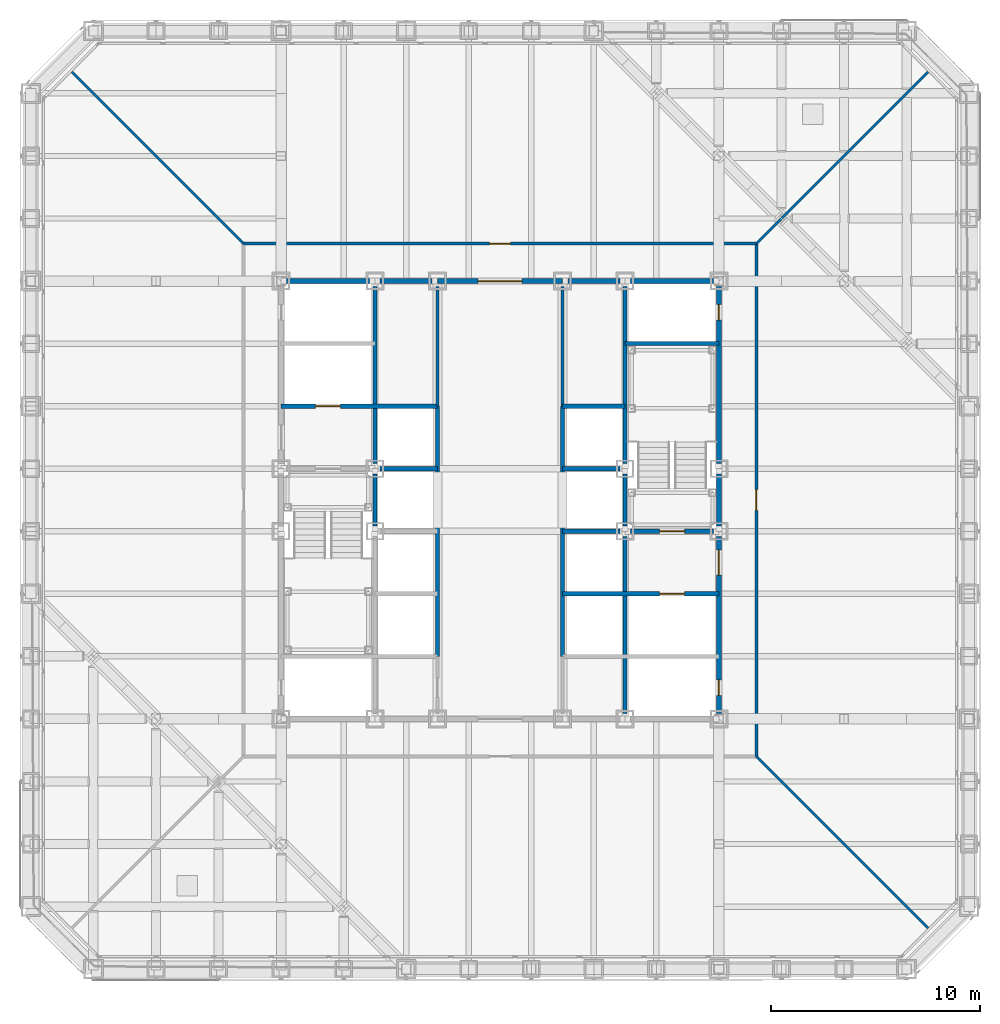
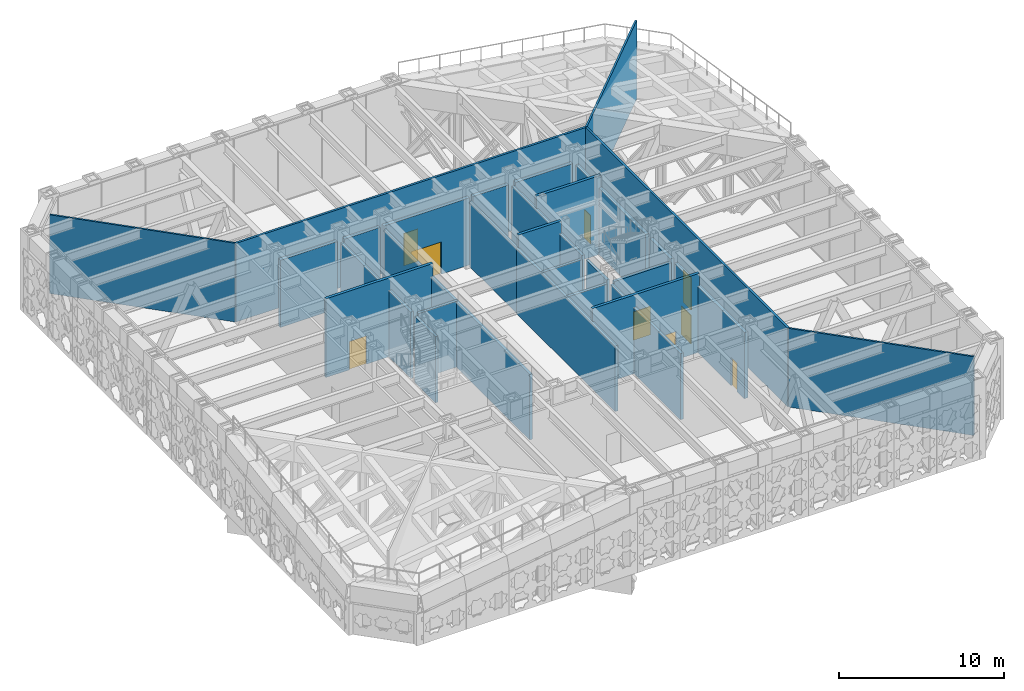
# One storey, part 12 of 31: 30 walls, 9 doors, 9 openings.
"""IFC4 building model written with IfcOpenShell, lengths in metres."""

from ifc_helpers import new_model, si_unit, direction, frame, frame_2d, origin, place, context, subcontext, project, spatial, rectangle, extrude, material, layer, layer_set, type_object, element, fill, save


model = new_model("IFC4")

# Units and contexts
model_context = context("Model", 3, precision=1e-05, world=origin(), true_north=direction((0.0, 1.0)))
body_context = subcontext(model_context, "Body", "Model", "MODEL_VIEW")
ifc_project = project(units=[si_unit("LENGTHUNIT", "METRE"), si_unit("AREAUNIT", "SQUARE_METRE"), si_unit("VOLUMEUNIT", "CUBIC_METRE"), si_unit("PLANEANGLEUNIT", "RADIAN"), si_unit("MASSUNIT", "GRAM", prefix="KILO")], contexts=[model_context])

# Site, building, storey
site_placement = place(None, origin())
site = spatial("IfcSite", under=ifc_project, at=site_placement, CompositionType="ELEMENT")
building_placement = place(site_placement, origin())
building = spatial("IfcBuilding", under=site, at=building_placement, Name="Chuquiago Exchange Tower", CompositionType="ELEMENT")
storey_placement = place(building_placement, frame((0.0, 0.0, 96.300048828125)))
storey = spatial("IfcBuildingStorey", under=building, at=storey_placement, Name="L20", CompositionType="ELEMENT", Elevation=96.300048828125)

# Walls
ifc_material_1 = material(Name="Concrete masonry, fully grouted", Category="masonry")
ifc_layer_1 = layer(ifc_material_1, 0.25)
ifc_layer_set_1 = layer_set([ifc_layer_1], Name="W1 core wall 250")
wall_type_1 = type_object("IfcWallType", Name="W1 core wall 250", PredefinedType="SOLIDWALL", material=ifc_layer_set_1)
wall_1_placement = place(storey_placement, frame((12.25, 33.0, 0.0), z_axis=(0.0, 0.0, 1.0), x_axis=(1.0, 0.0, 0.0)))
element("IfcWall", 1, at=wall_1_placement, inside=storey, type_object=wall_type_1, Name="CW-L20-11-0", PredefinedType="SOLIDWALL", context=body_context, shape_type="SweptSolid", body=[
    extrude(rectangle(XDim=4.0, YDim=0.25, at=frame_2d((2.0, 0.0))), origin(), (0.0, 0.0, 1.0), 4.9814453125),
])
for number, where, z_axis, x_axis, name in (
    (2, (16.75, 33.0, 0.0), (0.0, 0.0, 1.0), (1.0, 0.0, 0.0), "CW-L20-11-1"),
    (3, (25.75, 33.0, 0.0), (0.0, 0.0, 1.0), (1.0, 0.0, 0.0), "CW-L20-12-0"),
):
    element("IfcWall", number, at=place(storey_placement, frame(where, z_axis=z_axis, x_axis=x_axis)), inside=storey, type_object=wall_type_1, Name=name, PredefinedType="SOLIDWALL", context=body_context, shape_type="SweptSolid", body=[
        extrude(rectangle(XDim=2.5, YDim=0.25, at=frame_2d((1.25, 0.0))), origin(), (0.0, 0.0, 1.0), 4.9814453125),
    ])
wall_2_placement = place(storey_placement, frame((28.75, 33.0, 0.0), z_axis=(0.0, 0.0, 1.0), x_axis=(1.0, 0.0, 0.0)))
element("IfcWall", 4, at=wall_2_placement, inside=storey, type_object=wall_type_1, Name="CW-L20-12-1", PredefinedType="SOLIDWALL", context=body_context, shape_type="SweptSolid", body=[
    extrude(rectangle(XDim=4.0, YDim=0.25, at=frame_2d((2.0, 0.0))), origin(), (0.0, 0.0, 1.0), 4.9814453125),
])

# Wall, openings, doors
wall_3_placement = place(storey_placement, frame((33.0, 12.25, 0.0), z_axis=(0.0, 0.0, 1.0), x_axis=(0.0, 1.0, 0.0)))
wall_3 = element("IfcWall", 5, at=wall_3_placement, inside=storey, type_object=wall_type_1, Name="CW-L20-25-0", PredefinedType="SOLIDWALL", context=body_context, shape_type="SweptSolid", body=[
    extrude(rectangle(XDim=8.5, YDim=0.25, at=frame_2d((4.25, 0.0))), origin(), (0.0, 0.0, 1.0), 4.912841796875),
])
opening_1_placement = place(wall_3_placement, frame((6.64990234375, 0.0, 0.0)))
opening_1 = element("IfcOpeningElement", 6, at=opening_1_placement, cuts=wall_3, Name="Opening L20-006", PredefinedType="OPENING", context=body_context, shape_type="SweptSolid", body=[
    extrude(rectangle(XDim=1.199951171875, YDim=2.10009765625, at=frame_2d((0.60009765625, 1.050048828125))), frame((0.0, 0.135009765625, 0.0), z_axis=(0.0, -1.0, 0.0), x_axis=(1.0, 0.0, 0.0)), (0.0, 0.0, 1.0), 0.27001953125),
])
opening_2_placement = place(wall_3_placement, frame((0.875, 0.0, 0.0)))
opening_2 = element("IfcOpeningElement", 7, at=opening_2_placement, cuts=wall_3, Name="Opening L20-011", PredefinedType="OPENING", context=body_context, shape_type="SweptSolid", body=[
    extrude(rectangle(XDim=0.75, YDim=2.10009765625, at=frame_2d((0.375, 1.050048828125))), frame((0.0, 0.135009765625, 0.0), z_axis=(0.0, -1.0, 0.0), x_axis=(1.0, 0.0, 0.0)), (0.0, 0.0, 1.0), 0.27001953125),
])
ifc_material_2 = material(Name="Steel door, painted", Category="steel")
door_type_1 = type_object("IfcDoorType", Name="D5 firefighting lobby door 1200x2100", OperationType="SINGLE_SWING_LEFT", PredefinedType="DOOR", material=ifc_material_2)
door_1_placement = place(opening_1_placement, origin())
door_1 = element("IfcDoor", 8, at=door_1_placement, inside=storey, type_object=door_type_1, Name="Firefighting lobby 2 door", OperationType="SINGLE_SWING_RIGHT", OverallHeight=2.10009765625, OverallWidth=1.199951171875, PredefinedType="DOOR", context=body_context, shape_type="SweptSolid", body=[
    extrude(rectangle(XDim=1.199951171875, YDim=2.10009765625, at=frame_2d((0.60009765625, 1.050048828125))), frame((0.0, 0.02490234375, 0.0), z_axis=(0.0, -1.0, 0.0), x_axis=(1.0, 0.0, 0.0)), (0.0, 0.0, 1.0), 0.050048828125),
])
fill(opening_1, door_1)
ifc_material_3 = material(Name="Steel door, painted", Category="steel")
door_type_2 = type_object("IfcDoorType", Name="D6 riser access door 750x2100", OperationType="SINGLE_SWING_LEFT", PredefinedType="DOOR", material=ifc_material_3)
door_2_placement = place(opening_2_placement, origin())
door_2 = element("IfcDoor", 9, at=door_2_placement, inside=storey, type_object=door_type_2, Name="Riser RE1 door", OperationType="SINGLE_SWING_LEFT", OverallHeight=2.10009765625, OverallWidth=0.75, PredefinedType="DOOR", context=body_context, shape_type="SweptSolid", body=[
    extrude(rectangle(XDim=0.75, YDim=2.10009765625, at=frame_2d((0.375, 1.050048828125))), frame((0.0, 0.02490234375, 0.0), z_axis=(0.0, -1.0, 0.0), x_axis=(1.0, 0.0, 0.0)), (0.0, 0.0, 1.0), 0.050048828125),
])
fill(opening_2, door_2)

# Wall
wall_4_placement = place(storey_placement, frame((33.0, 21.25, 0.0), z_axis=(0.0, 0.0, 1.0), x_axis=(0.0, 1.0, 0.0)))
element("IfcWall", 10, at=wall_4_placement, inside=storey, type_object=wall_type_1, Name="CW-L20-25-1", PredefinedType="SOLIDWALL", context=body_context, shape_type="SweptSolid", body=[
    extrude(rectangle(XDim=2.5, YDim=0.25, at=frame_2d((1.25, 0.0))), origin(), (0.0, 0.0, 1.0), 4.912841796875),
])

# Wall, opening, door
wall_5_placement = place(storey_placement, frame((33.0, 24.25, 0.0), z_axis=(0.0, 0.0, 1.0), x_axis=(0.0, 1.0, 0.0)))
wall_5 = element("IfcWall", 11, at=wall_5_placement, inside=storey, type_object=wall_type_1, Name="CW-L20-25-2", PredefinedType="SOLIDWALL", context=body_context, shape_type="SweptSolid", body=[
    extrude(rectangle(XDim=8.5, YDim=0.25, at=frame_2d((4.25, 0.0))), origin(), (0.0, 0.0, 1.0), 4.912841796875),
])
opening_3_placement = place(wall_5_placement, frame((6.875, 0.0, 0.0)))
opening_3 = element("IfcOpeningElement", 12, at=opening_3_placement, cuts=wall_5, Name="Opening L20-012", PredefinedType="OPENING", context=body_context, shape_type="SweptSolid", body=[
    extrude(rectangle(XDim=0.75, YDim=2.10009765625, at=frame_2d((0.375, 1.050048828125))), frame((0.0, 0.135009765625, 0.0), z_axis=(0.0, -1.0, 0.0), x_axis=(1.0, 0.0, 0.0)), (0.0, 0.0, 1.0), 0.27001953125),
])
door_3_placement = place(opening_3_placement, origin())
door_3 = element("IfcDoor", 13, at=door_3_placement, inside=storey, type_object=door_type_2, Name="Riser RE2 door", OperationType="SINGLE_SWING_RIGHT", OverallHeight=2.10009765625, OverallWidth=0.75, PredefinedType="DOOR", context=body_context, shape_type="SweptSolid", body=[
    extrude(rectangle(XDim=0.75, YDim=2.10009765625, at=frame_2d((0.375, 1.050048828125))), frame((0.0, 0.02490234375, 0.0), z_axis=(0.0, -1.0, 0.0), x_axis=(1.0, 0.0, 0.0)), (0.0, 0.0, 1.0), 0.050048828125),
])
fill(opening_3, door_3)

wall_6_placement = place(storey_placement, frame((19.5, 33.0, 0.0), z_axis=(0.0, 0.0, 1.0), x_axis=(1.0, 0.0, 0.0)))
wall_6 = element("IfcWall", 14, at=wall_6_placement, inside=storey, type_object=wall_type_1, Name="CW-L20-LLN", PredefinedType="SOLIDWALL", context=body_context, shape_type="SweptSolid", body=[
    extrude(rectangle(XDim=6.0, YDim=0.25, at=frame_2d((3.0, 0.0))), origin(), (0.0, 0.0, 1.0), 4.9814453125),
])
opening_4_placement = place(wall_6_placement, frame((1.949951171875, 0.0, 0.0)))
opening_4 = element("IfcOpeningElement", 15, at=opening_4_placement, cuts=wall_6, Name="Opening L20-002", PredefinedType="OPENING", context=body_context, shape_type="SweptSolid", body=[
    extrude(rectangle(XDim=2.10009765625, YDim=2.39990234375, at=frame_2d((1.050048828125, 1.199951171875))), frame((0.0, 0.135009765625, 0.0), z_axis=(0.0, -1.0, 0.0), x_axis=(1.0, 0.0, 0.0)), (0.0, 0.0, 1.0), 0.27001953125),
])
ifc_material_4 = material(Name="Steel door, painted", Category="steel")
door_type_3 = type_object("IfcDoorType", Name="D11 plant room double door 2100x2400", OperationType="DOUBLE_DOOR_DOUBLE_SWING", PredefinedType="DOOR", material=ifc_material_4)
door_4_placement = place(opening_4_placement, origin())
door_4 = element("IfcDoor", 16, at=door_4_placement, inside=storey, type_object=door_type_3, Name="Plant room door N", OperationType="DOUBLE_DOOR_DOUBLE_SWING", OverallHeight=2.39990234375, OverallWidth=2.10009765625, PredefinedType="DOOR", context=body_context, shape_type="SweptSolid", body=[
    extrude(rectangle(XDim=2.10009765625, YDim=2.39990234375, at=frame_2d((1.050048828125, 1.199951171875))), frame((0.0, 0.02490234375, 0.0), z_axis=(0.0, -1.0, 0.0), x_axis=(1.0, 0.0, 0.0)), (0.0, 0.0, 1.0), 0.050048828125),
])
fill(opening_4, door_4)

ifc_material_5 = material(Name="Gypsum board on steel studs, acoustic insulation", Category="steel")
ifc_layer_2 = layer(ifc_material_5, 0.14990234375)
ifc_layer_set_2 = layer_set([ifc_layer_2], Name="W11 corridor wall 150")
wall_type_2 = type_object("IfcWallType", Name="W11 corridor wall 150", PredefinedType="PARTITIONING", material=ifc_layer_set_2)
wall_7_placement = place(storey_placement, frame((10.199951171875, 34.800048828125, 0.0), z_axis=(0.0, 0.0, 1.0), x_axis=(1.0, 0.0, 0.0)))
wall_7 = element("IfcWall", 17, at=wall_7_placement, inside=storey, type_object=wall_type_2, Name="PW-L20-PCN", PredefinedType="PARTITIONING", context=body_context, shape_type="SweptSolid", body=[
    extrude(rectangle(XDim=24.60009765625, YDim=0.14990234375, at=frame_2d((12.300048828125, 0.0))), origin(), (0.0, 0.0, 1.0), 5.83984375),
])
opening_5_placement = place(wall_7_placement, frame((11.800048828125, 0.0, 0.0)))
opening_5 = element("IfcOpeningElement", 18, at=opening_5_placement, cuts=wall_7, Name="Opening L20-015", PredefinedType="OPENING", context=body_context, shape_type="SweptSolid", body=[
    extrude(rectangle(XDim=1.0, YDim=2.39990234375, at=frame_2d((0.5, 1.199951171875))), frame((0.0, 0.0849609375, 0.0), z_axis=(0.0, -1.0, 0.0), x_axis=(1.0, 0.0, 0.0)), (0.0, 0.0, 1.0), 0.169921875),
])
ifc_material_6 = material(Name="Timber door, laminate faced", Category="wood")
door_type_4 = type_object("IfcDoorType", Name="D9 room door 1000x2400", OperationType="SINGLE_SWING_LEFT", PredefinedType="DOOR", material=ifc_material_6)
door_5_placement = place(opening_5_placement, origin())
door_5 = element("IfcDoor", 19, at=door_5_placement, inside=storey, type_object=door_type_4, Name="Plant corridor north door", OperationType="SINGLE_SWING_RIGHT", OverallHeight=2.39990234375, OverallWidth=1.0, PredefinedType="DOOR", context=body_context, shape_type="SweptSolid", body=[
    extrude(rectangle(XDim=1.0, YDim=2.39990234375, at=frame_2d((0.5, 1.199951171875))), frame((0.0, 0.02490234375, 0.0), z_axis=(0.0, -1.0, 0.0), x_axis=(1.0, 0.0, 0.0)), (0.0, 0.0, 1.0), 0.050048828125),
])
fill(opening_5, door_5)

wall_8_placement = place(storey_placement, frame((34.800048828125, 10.199951171875, 0.0), z_axis=(0.0, 0.0, 1.0), x_axis=(0.0, 1.0, 0.0)))
wall_8 = element("IfcWall", 20, at=wall_8_placement, inside=storey, type_object=wall_type_2, Name="PW-L20-PCE", PredefinedType="PARTITIONING", context=body_context, shape_type="SweptSolid", body=[
    extrude(rectangle(XDim=24.60009765625, YDim=0.14990234375, at=frame_2d((12.300048828125, 0.0))), origin(), (0.0, 0.0, 1.0), 5.83984375),
])
opening_6_placement = place(wall_8_placement, frame((11.800048828125, 0.0, 0.0)))
opening_6 = element("IfcOpeningElement", 21, at=opening_6_placement, cuts=wall_8, Name="Opening L20-017", PredefinedType="OPENING", context=body_context, shape_type="SweptSolid", body=[
    extrude(rectangle(XDim=1.0, YDim=2.39990234375, at=frame_2d((0.5, 1.199951171875))), frame((0.0, 0.0849609375, 0.0), z_axis=(0.0, -1.0, 0.0), x_axis=(1.0, 0.0, 0.0)), (0.0, 0.0, 1.0), 0.169921875),
])
door_6_placement = place(opening_6_placement, frame((1.0, 0.0, 0.0), z_axis=(0.0, 0.0, 1.0), x_axis=(-1.0, 0.0, 0.0)))
door_6 = element("IfcDoor", 22, at=door_6_placement, inside=storey, type_object=door_type_4, Name="Plant corridor east door", OperationType="SINGLE_SWING_LEFT", OverallHeight=2.39990234375, OverallWidth=1.0, PredefinedType="DOOR", context=body_context, shape_type="SweptSolid", body=[
    extrude(rectangle(XDim=1.0, YDim=2.39990234375, at=frame_2d((0.5, 1.199951171875))), frame((0.0, 0.02490234375, 0.0), z_axis=(0.0, -1.0, 0.0), x_axis=(1.0, 0.0, 0.0)), (0.0, 0.0, 1.0), 0.050048828125),
])
fill(opening_6, door_6)

# Walls
ifc_material_7 = material(Name="Concrete masonry, fully grouted", Category="masonry")
ifc_layer_3 = layer(ifc_material_7, 0.199951171875)
ifc_layer_set_3 = layer_set([ifc_layer_3], Name="W2 shaft wall 200")
wall_type_3 = type_object("IfcWallType", Name="W2 shaft wall 200", PredefinedType="SOLIDWALL", material=ifc_layer_set_3)
for number, where, z_axis, x_axis, name in (
    (23, (16.75, 24.0, 0.0), (0.0, 0.0, 1.0), (1.0, 0.0, 0.0), "CW-L20-05-1"),
    (24, (25.5, 24.0, 0.0), (0.0, 0.0, 1.0), (1.0, 0.0, 0.0), "CW-L20-06-0"),
):
    element("IfcWall", number, at=place(storey_placement, frame(where, z_axis=z_axis, x_axis=x_axis)), inside=storey, type_object=wall_type_3, Name=name, PredefinedType="SOLIDWALL", context=body_context, shape_type="SweptSolid", body=[
        extrude(rectangle(XDim=2.75, YDim=0.199951171875, at=frame_2d((1.375, 0.0))), origin(), (0.0, 0.0, 1.0), 4.889892578125),
    ])

# Wall, opening, door
wall_9_placement = place(storey_placement, frame((12.0, 27.0, 0.0), z_axis=(0.0, 0.0, 1.0), x_axis=(1.0, 0.0, 0.0)))
wall_9 = element("IfcWall", 25, at=wall_9_placement, inside=storey, type_object=wall_type_3, Name="CW-L20-07-0", PredefinedType="SOLIDWALL", context=body_context, shape_type="SweptSolid", body=[
    extrude(rectangle(XDim=7.5, YDim=0.199951171875, at=frame_2d((3.75, 0.0))), origin(), (0.0, 0.0, 1.0), 5.83984375),
])
opening_7_placement = place(wall_9_placement, frame((1.64990234375, 0.0, 0.0)))
opening_7 = element("IfcOpeningElement", 26, at=opening_7_placement, cuts=wall_9, Name="Opening L20-007", PredefinedType="OPENING", context=body_context, shape_type="SweptSolid", body=[
    extrude(rectangle(XDim=1.199951171875, YDim=2.10009765625, at=frame_2d((0.60009765625, 1.050048828125))), frame((0.0, 0.10986328125, 0.0), z_axis=(0.0, -1.0, 0.0), x_axis=(1.0, 0.0, 0.0)), (0.0, 0.0, 1.0), 0.219970703125),
])
ifc_material_8 = material(Name="Stainless steel lift landing door", Category="steel")
door_type_5 = type_object("IfcDoorType", Name="LD2 firefighting lift landing door 1200x2100", OperationType="DOUBLE_DOOR_SLIDING", PredefinedType="DOOR", material=ifc_material_8)
door_7_placement = place(opening_7_placement, origin())
door_7 = element("IfcDoor", 27, at=door_7_placement, inside=storey, type_object=door_type_5, Name="Firefighting lift FL1 landing door", OperationType="DOUBLE_DOOR_SLIDING", OverallHeight=2.10009765625, OverallWidth=1.199951171875, PredefinedType="DOOR", context=body_context, shape_type="SweptSolid", body=[
    extrude(rectangle(XDim=1.199951171875, YDim=2.10009765625, at=frame_2d((0.60009765625, 1.050048828125))), frame((0.0, 0.02490234375, 0.0), z_axis=(0.0, -1.0, 0.0), x_axis=(1.0, 0.0, 0.0)), (0.0, 0.0, 1.0), 0.050048828125),
])
fill(opening_7, door_7)

# Walls
wall_10_placement = place(storey_placement, frame((25.5, 27.0, 0.0), z_axis=(0.0, 0.0, 1.0), x_axis=(1.0, 0.0, 0.0)))
element("IfcWall", 28, at=wall_10_placement, inside=storey, type_object=wall_type_3, Name="CW-L20-08-0", PredefinedType="SOLIDWALL", context=body_context, shape_type="SweptSolid", body=[
    extrude(rectangle(XDim=3.0, YDim=0.199951171875, at=frame_2d((1.5, 0.0))), origin(), (0.0, 0.0, 1.0), 5.83984375),
])
wall_11_placement = place(storey_placement, frame((28.5, 30.0, 0.0), z_axis=(0.0, 0.0, 1.0), x_axis=(1.0, 0.0, 0.0)))
element("IfcWall", 29, at=wall_11_placement, inside=storey, type_object=wall_type_3, Name="CW-L20-10-0", PredefinedType="SOLIDWALL", context=body_context, shape_type="SweptSolid", body=[
    extrude(rectangle(XDim=4.5, YDim=0.199951171875, at=frame_2d((2.25, 0.0))), origin(), (0.0, 0.0, 1.0), 5.83984375),
])
wall_12_placement = place(storey_placement, frame((16.5, 21.25, 0.0), z_axis=(0.0, 0.0, 1.0), x_axis=(0.0, 1.0, 0.0)))
element("IfcWall", 30, at=wall_12_placement, inside=storey, type_object=wall_type_3, Name="CW-L20-13-1", PredefinedType="SOLIDWALL", context=body_context, shape_type="SweptSolid", body=[
    extrude(rectangle(XDim=2.5, YDim=0.199951171875, at=frame_2d((1.25, 0.0))), origin(), (0.0, 0.0, 1.0), 4.912841796875),
])
wall_13_placement = place(storey_placement, frame((16.5, 24.25, 0.0), z_axis=(0.0, 0.0, 1.0), x_axis=(0.0, 1.0, 0.0)))
element("IfcWall", 31, at=wall_13_placement, inside=storey, type_object=wall_type_3, Name="CW-L20-13-2", PredefinedType="SOLIDWALL", context=body_context, shape_type="SweptSolid", body=[
    extrude(rectangle(XDim=8.5, YDim=0.199951171875, at=frame_2d((4.25, 0.0))), origin(), (0.0, 0.0, 1.0), 4.912841796875),
])

# Wall, opening, door
wall_14_placement = place(storey_placement, frame((25.5, 18.0, 0.0), z_axis=(0.0, 0.0, 1.0), x_axis=(1.0, 0.0, 0.0)))
wall_14 = element("IfcWall", 32, at=wall_14_placement, inside=storey, type_object=wall_type_3, Name="CW-L20-15-0", PredefinedType="SOLIDWALL", context=body_context, shape_type="SweptSolid", body=[
    extrude(rectangle(XDim=7.5, YDim=0.199951171875, at=frame_2d((3.75, 0.0))), origin(), (0.0, 0.0, 1.0), 5.83984375),
])
opening_8_placement = place(wall_14_placement, frame((4.64990234375, 0.0, 0.0)))
opening_8 = element("IfcOpeningElement", 33, at=opening_8_placement, cuts=wall_14, Name="Opening L20-008", PredefinedType="OPENING", context=body_context, shape_type="SweptSolid", body=[
    extrude(rectangle(XDim=1.199951171875, YDim=2.10009765625, at=frame_2d((0.60009765625, 1.050048828125))), frame((0.0, 0.10986328125, 0.0), z_axis=(0.0, -1.0, 0.0), x_axis=(1.0, 0.0, 0.0)), (0.0, 0.0, 1.0), 0.219970703125),
])
door_8_placement = place(opening_8_placement, origin())
door_8 = element("IfcDoor", 34, at=door_8_placement, inside=storey, type_object=door_type_5, Name="Firefighting lift FL2 landing door", OperationType="DOUBLE_DOOR_SLIDING", OverallHeight=2.10009765625, OverallWidth=1.199951171875, PredefinedType="DOOR", context=body_context, shape_type="SweptSolid", body=[
    extrude(rectangle(XDim=1.199951171875, YDim=2.10009765625, at=frame_2d((0.60009765625, 1.050048828125))), frame((0.0, 0.02490234375, 0.0), z_axis=(0.0, -1.0, 0.0), x_axis=(1.0, 0.0, 0.0)), (0.0, 0.0, 1.0), 0.050048828125),
])
fill(opening_8, door_8)

# Wall
wall_15_placement = place(storey_placement, frame((25.5, 21.0, 0.0), z_axis=(0.0, 0.0, 1.0), x_axis=(1.0, 0.0, 0.0)))
element("IfcWall", 35, at=wall_15_placement, inside=storey, type_object=wall_type_3, Name="CW-L20-17-0", PredefinedType="SOLIDWALL", context=body_context, shape_type="SweptSolid", body=[
    extrude(rectangle(XDim=2.75, YDim=0.199951171875, at=frame_2d((1.375, 0.0))), origin(), (0.0, 0.0, 1.0), 4.889892578125),
])

# Wall, opening, door
wall_16_placement = place(storey_placement, frame((28.75, 21.0, 0.0), z_axis=(0.0, 0.0, 1.0), x_axis=(1.0, 0.0, 0.0)))
wall_16 = element("IfcWall", 36, at=wall_16_placement, inside=storey, type_object=wall_type_3, Name="CW-L20-17-1", PredefinedType="SOLIDWALL", context=body_context, shape_type="SweptSolid", body=[
    extrude(rectangle(XDim=4.0, YDim=0.199951171875, at=frame_2d((2.0, 0.0))), origin(), (0.0, 0.0, 1.0), 4.889892578125),
])
opening_9_placement = place(wall_16_placement, frame((1.39990234375, 0.0, 0.0)))
opening_9 = element("IfcOpeningElement", 37, at=opening_9_placement, cuts=wall_16, Name="Opening L20-005", PredefinedType="OPENING", context=body_context, shape_type="SweptSolid", body=[
    extrude(rectangle(XDim=1.199951171875, YDim=2.10009765625, at=frame_2d((0.60009765625, 1.050048828125))), frame((0.0, 0.10986328125, 0.0), z_axis=(0.0, -1.0, 0.0), x_axis=(1.0, 0.0, 0.0)), (0.0, 0.0, 1.0), 0.219970703125),
])
ifc_material_9 = material(Name="Steel door, painted", Category="steel")
door_type_6 = type_object("IfcDoorType", Name="D4 stair door 1200x2100", OperationType="SINGLE_SWING_LEFT", PredefinedType="DOOR", material=ifc_material_9)
door_9_placement = place(opening_9_placement, origin())
door_9 = element("IfcDoor", 38, at=door_9_placement, inside=storey, type_object=door_type_6, Name="Stair ST2 door", OperationType="SINGLE_SWING_LEFT", OverallHeight=2.10009765625, OverallWidth=1.199951171875, PredefinedType="DOOR", context=body_context, shape_type="SweptSolid", body=[
    extrude(rectangle(XDim=1.199951171875, YDim=2.10009765625, at=frame_2d((0.60009765625, 1.050048828125))), frame((0.0, 0.02490234375, 0.0), z_axis=(0.0, -1.0, 0.0), x_axis=(1.0, 0.0, 0.0)), (0.0, 0.0, 1.0), 0.050048828125),
])
fill(opening_9, door_9)

# Walls
for number, where, z_axis, x_axis, name in (
    (39, (19.5, 15.0, 0.0), (0.0, 0.0, 1.0), (0.0, 1.0, 0.0), "CW-L20-19-0"),
    (40, (25.5, 15.0, 0.0), (0.0, 0.0, 1.0), (0.0, 1.0, 0.0), "CW-L20-22-0"),
):
    element("IfcWall", number, at=place(storey_placement, frame(where, z_axis=z_axis, x_axis=x_axis)), inside=storey, type_object=wall_type_3, Name=name, PredefinedType="SOLIDWALL", context=body_context, shape_type="SweptSolid", body=[
        extrude(rectangle(XDim=12.0, YDim=0.199951171875, at=frame_2d((6.0, 0.0))), origin(), (0.0, 0.0, 1.0), 4.864501953125),
    ])
wall_17_placement = place(storey_placement, frame((28.5, 12.25, 0.0), z_axis=(0.0, 0.0, 1.0), x_axis=(0.0, 1.0, 0.0)))
element("IfcWall", 41, at=wall_17_placement, inside=storey, type_object=wall_type_3, Name="CW-L20-24-0", PredefinedType="SOLIDWALL", context=body_context, shape_type="SweptSolid", body=[
    extrude(rectangle(XDim=8.5, YDim=0.199951171875, at=frame_2d((4.25, 0.0))), origin(), (0.0, 0.0, 1.0), 4.912841796875),
])
wall_18_placement = place(storey_placement, frame((28.5, 21.25, 0.0), z_axis=(0.0, 0.0, 1.0), x_axis=(0.0, 1.0, 0.0)))
element("IfcWall", 42, at=wall_18_placement, inside=storey, type_object=wall_type_3, Name="CW-L20-24-1", PredefinedType="SOLIDWALL", context=body_context, shape_type="SweptSolid", body=[
    extrude(rectangle(XDim=2.5, YDim=0.199951171875, at=frame_2d((1.25, 0.0))), origin(), (0.0, 0.0, 1.0), 4.912841796875),
])
wall_19_placement = place(storey_placement, frame((28.5, 24.25, 0.0), z_axis=(0.0, 0.0, 1.0), x_axis=(0.0, 1.0, 0.0)))
element("IfcWall", 43, at=wall_19_placement, inside=storey, type_object=wall_type_3, Name="CW-L20-24-2", PredefinedType="SOLIDWALL", context=body_context, shape_type="SweptSolid", body=[
    extrude(rectangle(XDim=8.5, YDim=0.199951171875, at=frame_2d((4.25, 0.0))), origin(), (0.0, 0.0, 1.0), 4.912841796875),
])
ifc_material_10 = material(Name="Gypsum board on steel studs", Category="steel")
ifc_layer_4 = layer(ifc_material_10, 0.14990234375)
ifc_layer_set_4 = layer_set([ifc_layer_4], Name="W3 core partition 150")
wall_type_4 = type_object("IfcWallType", Name="W3 core partition 150", PredefinedType="PARTITIONING", material=ifc_layer_set_4)
for number, where, z_axis, x_axis, name in (
    (44, (19.5, 27.0, 0.0), (0.0, 0.0, 1.0), (0.0, 1.0, 0.0), "CW-L20-20-0"),
    (45, (25.5, 27.0, 0.0), (0.0, 0.0, 1.0), (0.0, 1.0, 0.0), "CW-L20-23-0"),
):
    element("IfcWall", number, at=place(storey_placement, frame(where, z_axis=z_axis, x_axis=x_axis)), inside=storey, type_object=wall_type_4, Name=name, PredefinedType="PARTITIONING", context=body_context, shape_type="SweptSolid", body=[
        extrude(rectangle(XDim=5.75, YDim=0.14990234375, at=frame_2d((2.875, 0.0))), origin(), (0.0, 0.0, 1.0), 4.864501953125),
    ])
ifc_material_11 = material(Name="Gypsum board on steel studs", Category="steel")
ifc_layer_5 = layer(ifc_material_11, 0.1201171875)
ifc_layer_set_5 = layer_set([ifc_layer_5], Name="W4 partition 120")
wall_type_5 = type_object("IfcWallType", Name="W4 partition 120", PredefinedType="PARTITIONING", material=ifc_layer_set_5)
for number, where, z_axis, x_axis, name in (
    (46, (34.800048828125, 34.800048828125, 0.0), (0.0, 0.0, 1.0), (0.707106781187, 0.707106781187, 0.0), "PW-L20-PDNE0"),
    (47, (10.199951171875, 34.800048828125, 0.0), (0.0, 0.0, 1.0), (-0.707106781187, 0.707106781187, 0.0), "PW-L20-PDNW0"),
    (48, (34.800048828125, 10.199951171875, 0.0), (0.0, 0.0, 1.0), (0.707106781187, -0.707106781187, 0.0), "PW-L20-PDSE0"),
):
    element("IfcWall", number, at=place(storey_placement, frame(where, z_axis=z_axis, x_axis=x_axis)), inside=storey, type_object=wall_type_5, Name=name, PredefinedType="PARTITIONING", context=body_context, shape_type="SweptSolid", body=[
        extrude(rectangle(XDim=11.67138671875, YDim=0.1201171875, at=frame_2d((5.835693359375, 0.0))), origin(), (0.0, 0.0, 1.0), 5.83984375),
    ])

save(model, "model.ifc")
